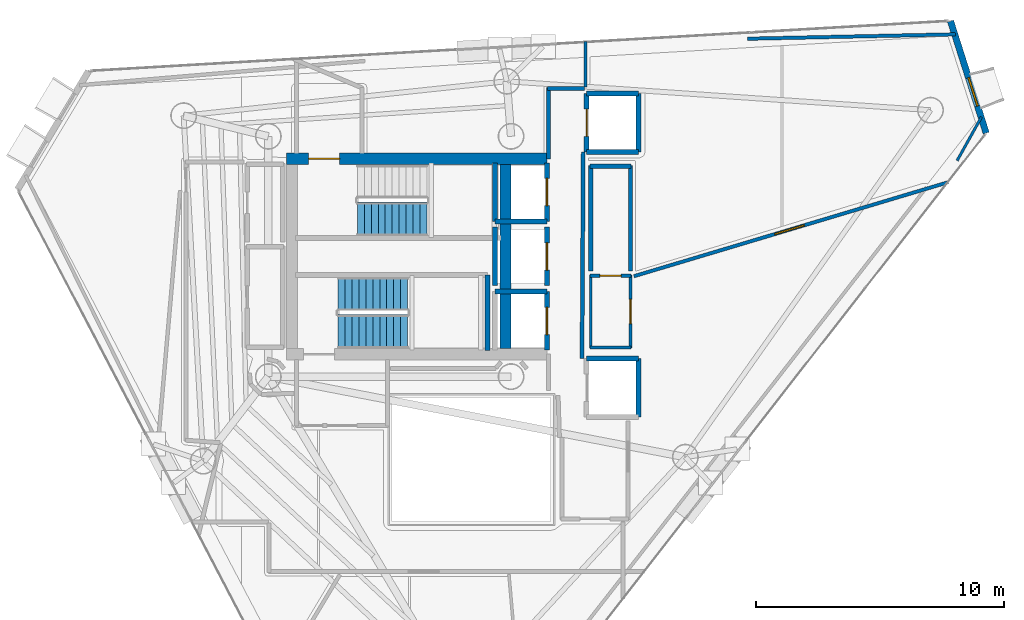
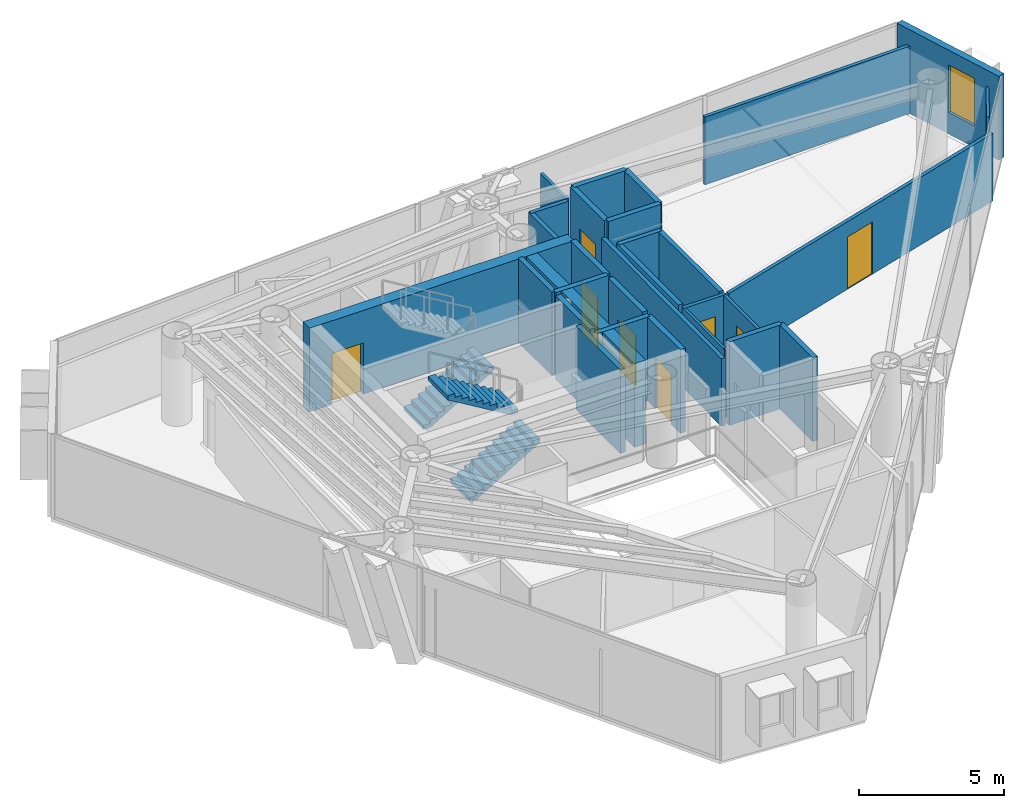
# One storey, part 15 of 18: 31 walls, 8 doors, 3 stair flights, 1 window, 9 openings, 2 elements without a shape of their own.
"""IFC4 building model written with IfcOpenShell, lengths in metres."""

import ifcopenshell
import ifcopenshell.guid

model = None  # the IFC model being written
_history = None  # IfcOwnerHistory: only IFC2X3 demands one
_inside = {}  # id of a spatial element -> (the spatial element, [elements in it])
_under = {}  # id of a project, library or spatial element -> (it, [spatial elements below it])
_declared = {}  # id of a project -> (the project, [libraries it declares])
_typed = {}  # id of a type object -> (the type object, [elements of that type])
_made_of = {}  # id of a material, layer set ... -> (it, [elements and type objects made of it])


def new_model(schema):
    """Start an empty IFC model of exactly this schema.

    Asked for "IFC4X3", IfcOpenShell would pick the latest addendum, in which some entities
    have other attributes; the version numbers below select the first issue.
    IFC2X3 requires an IfcOwnerHistory on every rooted entity: one is made here for all.
    """
    global model, _history
    if schema == "IFC4X3":
        model = ifcopenshell.file(schema_version=(4, 3, 0, 0))
    else:
        model = ifcopenshell.file(schema=schema)
    _inside.clear()
    _under.clear()
    _declared.clear()
    _typed.clear()
    _made_of.clear()
    _history = None
    if model.schema == "IFC2X3":
        org = make("IfcOrganization", Name="unknown")
        user = make(
            "IfcPersonAndOrganization",
            ThePerson=make("IfcPerson", FamilyName="unknown"),
            TheOrganization=org,
        )
        app = make(
            "IfcApplication",
            ApplicationDeveloper=org,
            Version="unknown",
            ApplicationFullName="unknown",
            ApplicationIdentifier="unknown",
        )
        _history = make(
            "IfcOwnerHistory",
            OwningUser=user,
            OwningApplication=app,
            ChangeAction="ADDED",
            CreationDate=0,
        )
    return model


def make(cls, **values):
    """One entity of the class cls with the attributes given. An attribute that is None is left unset."""
    return model.create_entity(
        cls, **{name: value for name, value in values.items() if value is not None}
    )


def rooted(cls, **values):
    """An entity with a GlobalId (a new one), such as an element, a storey or a relation."""
    return make(cls, GlobalId=ifcopenshell.guid.new(), OwnerHistory=_history, **values)


def si_unit(unit_type, name, prefix=None):
    """IfcSIUnit, for example si_unit("LENGTHUNIT", "METRE", prefix="MILLI")."""
    return make("IfcSIUnit", UnitType=unit_type, Prefix=prefix, Name=name)


def assignment(units):
    """IfcUnitAssignment: the units of a project."""
    return None if units is None else make("IfcUnitAssignment", Units=units)


def point(xyz):
    """IfcCartesianPoint."""
    return None if xyz is None else make("IfcCartesianPoint", Coordinates=xyz)


def direction(xyz):
    """IfcDirection."""
    return None if xyz is None else make("IfcDirection", DirectionRatios=xyz)


def frame(location, z_axis=None, x_axis=None):
    """IfcAxis2Placement3D, a coordinate frame: its origin and axes. An axis left out is left unset."""
    return make(
        "IfcAxis2Placement3D",
        Location=point(location),
        Axis=direction(z_axis),
        RefDirection=direction(x_axis),
    )


def frame_2d(location, x_axis=None):
    """IfcAxis2Placement2D, a coordinate frame in the plane: its origin and x axis."""
    return make(
        "IfcAxis2Placement2D", Location=point(location), RefDirection=direction(x_axis)
    )


def origin():
    """The frame at (0, 0, 0) with its axes left unset."""
    return frame((0.0, 0.0, 0.0))


def place(relative_to, where):
    """IfcLocalPlacement: puts the frame where relative to a parent placement (None: the world)."""
    return make(
        "IfcLocalPlacement", PlacementRelTo=relative_to, RelativePlacement=where
    )


def context(
    kind, dimensions, precision=None, world=None, true_north=None, identifier=None
):
    """IfcGeometricRepresentationContext, for example the 3D "Model" context."""
    return make(
        "IfcGeometricRepresentationContext",
        ContextIdentifier=identifier,
        ContextType=kind,
        CoordinateSpaceDimension=dimensions,
        Precision=precision,
        WorldCoordinateSystem=world,
        TrueNorth=true_north,
    )


def subcontext(parent, identifier, kind, view, scale=None):
    """IfcGeometricRepresentationSubContext, for example "Body" below "Model"."""
    return make(
        "IfcGeometricRepresentationSubContext",
        ContextIdentifier=identifier,
        ContextType=kind,
        ParentContext=parent,
        TargetScale=scale,
        TargetView=view,
    )


def project(units=None, contexts=None):
    """IfcProject with its units and contexts."""
    return rooted(
        "IfcProject",
        Name="project",
        RepresentationContexts=contexts,
        UnitsInContext=assignment(units),
    )


def spatial(cls, under=None, at=None, **own):
    """A site, building, storey or space (cls), placed at a placement, below another one or the project."""
    s = rooted(cls, ObjectPlacement=at, **own)
    if under is not None:
        _under.setdefault(under.id(), (under, []))[1].append(s)
    return s


def polyline(points):
    """IfcPolyline through the points."""
    return make("IfcPolyline", Points=[point(p) for p in points])


def profile(cls, at=None, kind="AREA", **sizes):
    """A parametric profile (cls). Its sizes go by their IFC names, for example OverallWidth=200.0."""
    return make(cls, ProfileType=kind, Position=at, **sizes)


def rectangle(**sizes):
    """IfcRectangleProfileDef."""
    return profile("IfcRectangleProfileDef", **sizes)


def outline(outer, holes=None, kind="AREA"):
    """IfcArbitraryClosedProfileDef: a profile drawn as a closed curve; with holes, ...WithVoids."""
    if holes is None:
        return make("IfcArbitraryClosedProfileDef", ProfileType=kind, OuterCurve=outer)
    return make(
        "IfcArbitraryProfileDefWithVoids",
        ProfileType=kind,
        OuterCurve=outer,
        InnerCurves=holes,
    )


def extrude(swept, where, along, depth):
    """IfcExtrudedAreaSolid: the profile swept, set in the frame where, extruded along a direction by depth."""
    return make(
        "IfcExtrudedAreaSolid",
        SweptArea=swept,
        Position=where,
        ExtrudedDirection=direction(along),
        Depth=depth,
    )


def shape(context_of_items, identifier, shape_type, items):
    """IfcShapeRepresentation: the items that make up one representation, for example the "Body"."""
    return make(
        "IfcShapeRepresentation",
        ContextOfItems=context_of_items,
        RepresentationIdentifier=identifier,
        RepresentationType=shape_type,
        Items=items,
    )


def material(Name=None, Category=None):
    """IfcMaterial."""
    return make("IfcMaterial", Name=Name, Category=Category)


def layer(
    of_material, thickness, ventilated=None, Name=None, Category=None, Priority=None
):
    """IfcMaterialLayer: one layer of a wall or slab, of a material (None: an air gap)."""
    return make(
        "IfcMaterialLayer",
        Material=of_material,
        LayerThickness=thickness,
        IsVentilated=ventilated,
        Name=Name,
        Category=Category,
        Priority=Priority,
    )


def layer_set(layers, Name=None):
    """IfcMaterialLayerSet."""
    return make("IfcMaterialLayerSet", MaterialLayers=layers, LayerSetName=Name)


def made_of(thing, what):
    """Note that an element or type object is made of a material, layer set ...; save() writes the relation."""
    if what is not None:
        _made_of.setdefault(what.id(), (what, []))[1].append(thing)
    return thing


def type_object(cls, material=None, **own):
    """A type object (cls), such as IfcWallType, which elements share."""
    return made_of(rooted(cls, **own), material)


def element(
    cls,
    number,
    at=None,
    inside=None,
    cuts=None,
    type_object=None,
    material=None,
    context=None,
    identifier="Body",
    shape_type=None,
    held_by="IfcProductDefinitionShape",
    body=None,
    shapes=None,
    **own,
):
    """One element of the class cls, such as IfcWall. Its Tag is "e" and its number.

    at: its placement. inside: the storey or other place that contains it. cuts: it is an
    opening in that element (IfcRelVoidsElement). A single representation is given by context,
    identifier, shape_type and body (its items); several are given by shapes. held_by: the class
    of the entity that holds the representations. save() writes the other relations.
    """
    e = rooted(cls, Tag="e%d" % number, ObjectPlacement=at, **own)
    if body is not None:
        shapes = [shape(context, identifier, shape_type, body)]
    if shapes is not None:
        e.Representation = make(held_by, Representations=shapes)
    if inside is not None:
        _inside.setdefault(inside.id(), (inside, []))[1].append(e)
    if cuts is not None:
        rooted(
            "IfcRelVoidsElement", RelatingBuildingElement=cuts, RelatedOpeningElement=e
        )
    if type_object is not None:
        _typed.setdefault(type_object.id(), (type_object, []))[1].append(e)
    return made_of(e, material)


def fill(opening, filler):
    """IfcRelFillsElement: the door or window that sits in an opening."""
    return rooted(
        "IfcRelFillsElement",
        RelatingOpeningElement=opening,
        RelatedBuildingElement=filler,
    )


def aggregate(whole, parts):
    """IfcRelAggregates: a whole, such as a stair, and the parts it consists of."""
    return rooted("IfcRelAggregates", RelatingObject=whole, RelatedObjects=parts)


def save(model, path):
    """Write the relations noted so far, then the file.

    IfcRelAggregates (storeys below a building ...), IfcRelContainedInSpatialStructure (elements
    in a storey), IfcRelDefinesByType, IfcRelAssociatesMaterial and IfcRelDeclares: one each for
    every whole, place, type object, material and project.
    """
    for whole, parts in _under.values():
        aggregate(whole, parts)
    for where, things in _inside.values():
        rooted(
            "IfcRelContainedInSpatialStructure",
            RelatedElements=things,
            RelatingStructure=where,
        )
    for kind, things in _typed.values():
        rooted("IfcRelDefinesByType", RelatedObjects=things, RelatingType=kind)
    for what, things in _made_of.values():
        rooted("IfcRelAssociatesMaterial", RelatedObjects=things, RelatingMaterial=what)
    for by, libraries in _declared.values():
        rooted("IfcRelDeclares", RelatingContext=by, RelatedDefinitions=libraries)
    model.write(path)


model = new_model("IFC4")

# Units and contexts
model_context = context("Model", 3, precision=1e-05, world=origin(), true_north=direction((0.0, 1.0)))
body_context = subcontext(model_context, "Body", "Model", "MODEL_VIEW")
ifc_project = project(units=[si_unit("LENGTHUNIT", "METRE"), si_unit("AREAUNIT", "SQUARE_METRE"), si_unit("VOLUMEUNIT", "CUBIC_METRE"), si_unit("PLANEANGLEUNIT", "RADIAN"), si_unit("MASSUNIT", "GRAM", prefix="KILO")], contexts=[model_context])

# Site, building, storey
site_placement = place(None, origin())
site = spatial("IfcSite", under=ifc_project, at=site_placement, CompositionType="ELEMENT")
building_placement = place(site_placement, origin())
building = spatial("IfcBuilding", under=site, at=building_placement, Name="Qianvela Tower", CompositionType="ELEMENT")
storey_placement = place(building_placement, frame((0.0, 0.0, 264.89990234375)))
storey = spatial("IfcBuildingStorey", under=building, at=storey_placement, Name="L68", CompositionType="ELEMENT", Elevation=264.89990234375)

# Wall, opening, window
ifc_material_1 = material(Name="Terracotta Cladding on Concrete C40", Category="masonry")
ifc_layer_1 = layer(ifc_material_1, 0.260009765625)
ifc_layer_set_1 = layer_set([ifc_layer_1], Name="Terracotta Cladding on Concrete C40")
wall_type_1 = type_object("IfcWallType", Name="TERRACOTTA-WALL-260", PredefinedType="SOLIDWALL", material=ifc_layer_set_1)
wall_1_placement = place(storey_placement, frame((57.58056640625, 33.681884765625, 0.0), z_axis=(0.0, 0.0, 1.0), x_axis=(-0.303320364909, 0.952888637896, 0.0)))
wall_1 = element("IfcWall", 1, at=wall_1_placement, inside=storey, type_object=wall_type_1, Name="L68 Terracotta Chamfer Facet Wall 1", PredefinedType="SOLIDWALL", context=body_context, shape_type="SweptSolid", body=[
    extrude(rectangle(XDim=4.748779296875, YDim=0.260009765625, at=frame_2d((2.37451171875, 0.0))), origin(), (0.0, 0.0, 1.0), 3.52001953125),
])
opening_1_placement = place(wall_1_placement, frame((1.144775390625, 0.0, 0.89990234375)))
opening_1 = element("IfcOpeningElement", 2, at=opening_1_placement, cuts=wall_1, Name="Opening W-03", PredefinedType="OPENING", context=body_context, shape_type="SweptSolid", body=[
    extrude(rectangle(XDim=1.199951171875, YDim=2.0, at=frame_2d((0.60009765625, 1.0))), frame((0.0, 0.139892578125, 0.0), z_axis=(0.0, -1.0, 0.0), x_axis=(1.0, 0.0, 0.0)), (0.0, 0.0, 1.0), 0.280029296875),
])
ifc_material_2 = material(Name="Thermally Broken Aluminium and Low-E Glass", Category="aluminium")
window_type = type_object("IfcWindowType", Name="WIN-TC-1200x2000", PartitioningType="SINGLE_PANEL", PredefinedType="WINDOW", material=ifc_material_2)
window_placement = place(opening_1_placement, origin())
window = element("IfcWindow", 3, at=window_placement, inside=storey, type_object=window_type, Name="L68 Chamfer Facet Window 1.1", OverallHeight=2.0, OverallWidth=1.199951171875, PartitioningType="SINGLE_PANEL", PredefinedType="WINDOW", context=body_context, shape_type="SweptSolid", body=[
    extrude(rectangle(XDim=1.199951171875, YDim=2.0, at=frame_2d((0.60009765625, 1.0))), frame((0.0, 0.030029296875, 0.0), z_axis=(0.0, -1.0, 0.0), x_axis=(1.0, 0.0, 0.0)), (0.0, 0.0, 1.0), 0.06005859375),
])
fill(opening_1, window)

# Wall, opening, door
ifc_material_3 = material(Name="Concrete C50", Category="concrete")
ifc_layer_2 = layer(ifc_material_3, 0.449951171875)
ifc_layer_set_2 = layer_set([ifc_layer_2], Name="Concrete C50")
wall_type_2 = type_object("IfcWallType", Name="WT-CORE-450", PredefinedType="SHEAR", material=ifc_layer_set_2)
wall_2_placement = place(storey_placement, frame((29.330078125, 32.64501953125, 0.0), z_axis=(0.0, 0.0, 1.0), x_axis=(1.0, 0.0, 0.0)))
wall_2 = element("IfcWall", 4, at=wall_2_placement, inside=storey, type_object=wall_type_2, Name="L68 North Core Shear Wall", PredefinedType="SHEAR", context=body_context, shape_type="SweptSolid", body=[
    extrude(rectangle(XDim=10.52001953125, YDim=0.449951171875, at=frame_2d((5.260009765625, 0.0))), origin(), (0.0, 0.0, 1.0), 3.52001953125),
])
opening_2_placement = place(wall_2_placement, frame((0.89501953125, 0.0, 0.0)))
opening_2 = element("IfcOpeningElement", 5, at=opening_2_placement, cuts=wall_2, Name="Opening D-ST1", PredefinedType="OPENING", context=body_context, shape_type="SweptSolid", body=[
    extrude(rectangle(XDim=1.25, YDim=2.14990234375, at=frame_2d((0.625, 1.074951171875))), frame((0.0, 0.23486328125, 0.0), z_axis=(0.0, -1.0, 0.0), x_axis=(1.0, 0.0, 0.0)), (0.0, 0.0, 1.0), 0.469970703125),
])
ifc_material_4 = material(Name="Galvanised Fire Steel Q355B", Category="steel")
door_type_1 = type_object("IfcDoorType", Name="DT-STAIR-FD90", OperationType="NOTDEFINED", PredefinedType="DOOR", material=ifc_material_4)
door_1_placement = place(opening_2_placement, origin())
door_1 = element("IfcDoor", 6, at=door_1_placement, inside=storey, type_object=door_type_1, Name="L68 Stair ST-1 Exit Door", OperationType="SINGLE_SWING_RIGHT", OverallHeight=2.14990234375, OverallWidth=1.25, PredefinedType="DOOR", context=body_context, shape_type="SweptSolid", body=[
    extrude(rectangle(XDim=1.25, YDim=2.14990234375, at=frame_2d((0.625, 1.074951171875))), frame((0.0, 0.02490234375, 0.0), z_axis=(0.0, -1.0, 0.0), x_axis=(1.0, 0.0, 0.0)), (0.0, 0.0, 1.0), 0.050048828125),
])
fill(opening_2, door_1)

# Walls
wall_3_placement = place(storey_placement, frame((38.179931640625, 24.97998046875, 0.0), z_axis=(0.0, 0.0, 1.0), x_axis=(0.0, 1.0, 0.0)))
element("IfcWall", 7, at=wall_3_placement, inside=storey, type_object=wall_type_2, Name="L68 East Spine Core Shear Wall", PredefinedType="SHEAR", context=body_context, shape_type="SweptSolid", body=[
    extrude(rectangle(XDim=7.43994140625, YDim=0.449951171875, at=frame_2d((3.719970703125, 0.0))), origin(), (0.0, 0.0, 1.0), 3.52001953125),
])
ifc_material_5 = material(Name="Fire-Rated Gypsum and Concrete Block", Category="concrete")
ifc_layer_3 = layer(ifc_material_5, 0.159912109375)
ifc_layer_set_3 = layer_set([ifc_layer_3], Name="Fire-Rated Gypsum and Concrete Block")
wall_type_3 = type_object("IfcWallType", Name="WT-CORR-160", PredefinedType="PARTITIONING", material=ifc_layer_set_3)
wall_4_placement = place(storey_placement, frame((39.910888671875, 32.639892578125, 0.0), z_axis=(0.0, 0.0, 1.0), x_axis=(0.0, 1.0, 0.0)))
element("IfcWall", 8, at=wall_4_placement, inside=storey, type_object=wall_type_3, Name="L68 Partition 12", PredefinedType="PARTITIONING", context=body_context, shape_type="SweptSolid", body=[
    extrude(rectangle(XDim=2.880126953125, YDim=0.159912109375, at=frame_2d((1.43994140625, 0.0))), origin(), (0.0, 0.0, 1.0), 2.840087890625),
])
wall_5_placement = place(storey_placement, frame((39.8798828125, 35.489013671875, 0.0), z_axis=(0.0, 0.0, 1.0), x_axis=(1.0, 0.0, 0.0)))
element("IfcWall", 9, at=wall_5_placement, inside=storey, type_object=wall_type_3, Name="L68 Partition 13", PredefinedType="PARTITIONING", context=body_context, shape_type="SweptSolid", body=[
    extrude(rectangle(XDim=1.480224609375, YDim=0.159912109375, at=frame_2d((0.740234375, 0.0))), origin(), (0.0, 0.0, 1.0), 2.840087890625),
])
wall_6_placement = place(storey_placement, frame((41.3134765625, 32.919921875, 0.0), z_axis=(0.0, 0.0, 1.0), x_axis=(-0.005942518022, -0.999982343084, 0.0)))
element("IfcWall", 10, at=wall_6_placement, inside=storey, type_object=wall_type_3, Name="L68 Partition 14 seg 2", PredefinedType="PARTITIONING", context=body_context, shape_type="SweptSolid", body=[
    extrude(rectangle(XDim=8.340087890625, YDim=0.159912109375, at=frame_2d((4.169921875, 0.0))), origin(), (0.0, 0.0, 1.0), 2.840087890625),
])
ifc_material_6 = material(Name="Lightweight Gypsum Room Partition")
ifc_layer_4 = layer(ifc_material_6, 0.10498046875)
ifc_layer_set_4 = layer_set([ifc_layer_4], Name="Lightweight Gypsum Room Partition")
wall_type_4 = type_object("IfcWallType", Name="WT-PART-105", PredefinedType="PARTITIONING", material=ifc_layer_set_4)
wall_7_placement = place(storey_placement, frame((41.611083984375, 25.0, 0.0), z_axis=(0.0, 0.0, 1.0), x_axis=(0.0, 1.0, 0.0)))
element("IfcWall", 11, at=wall_7_placement, inside=storey, type_object=wall_type_4, Name="L68 Partition 20", PredefinedType="PARTITIONING", context=body_context, shape_type="SweptSolid", body=[
    extrude(rectangle(XDim=2.949951171875, YDim=0.10498046875, at=frame_2d((1.47509765625, 0.0))), origin(), (0.0, 0.0, 1.0), 2.840087890625),
])
wall_8_placement = place(storey_placement, frame((57.390380859375, 34.333740234375, 0.0), z_axis=(0.0, 0.0, 1.0), x_axis=(-0.486667928669, -0.873587046152, 0.0)))
element("IfcWall", 12, at=wall_8_placement, inside=storey, type_object=wall_type_4, Name="L68 Partition 113 seg 1", PredefinedType="PARTITIONING", context=body_context, shape_type="SweptSolid", body=[
    extrude(rectangle(XDim=2.021728515625, YDim=0.10498046875, at=frame_2d((1.0107421875, 0.0))), origin(), (0.0, 0.0, 1.0), 2.840087890625),
])
ifc_material_7 = material(Name="Insulated Gypsum Stud Partition")
ifc_layer_5 = layer(ifc_material_7, 0.1201171875)
ifc_layer_set_5 = layer_set([ifc_layer_5], Name="Insulated Gypsum Stud Partition")
wall_type_5 = type_object("IfcWallType", Name="WT-PART-120", PredefinedType="PARTITIONING", material=ifc_layer_set_5)
wall_9_placement = place(storey_placement, frame((43.25, 25.031005859375, 0.0), z_axis=(0.0, 0.0, 1.0), x_axis=(-1.0, 0.0, 0.0)))
element("IfcWall", 13, at=wall_9_placement, inside=storey, type_object=wall_type_5, Name="L68 Partition 19", PredefinedType="PARTITIONING", context=body_context, shape_type="SweptSolid", body=[
    extrude(rectangle(XDim=1.669921875, YDim=0.1201171875, at=frame_2d((0.8349609375, 0.0))), origin(), (0.0, 0.0, 1.0), 2.840087890625),
])

# Wall, opening, door
wall_10_placement = place(storey_placement, frame((43.218994140625, 27.949951171875, 0.0), z_axis=(0.0, 0.0, 1.0), x_axis=(0.0, -1.0, 0.0)))
wall_10 = element("IfcWall", 14, at=wall_10_placement, inside=storey, type_object=wall_type_5, Name="L68 Partition 22", PredefinedType="PARTITIONING", context=body_context, shape_type="SweptSolid", body=[
    extrude(rectangle(XDim=2.949951171875, YDim=0.1201171875, at=frame_2d((1.47509765625, 0.0))), origin(), (0.0, 0.0, 1.0), 2.840087890625),
])
opening_3_placement = place(wall_10_placement, frame((0.985107421875, 0.0, 0.0)))
opening_3 = element("IfcOpeningElement", 15, at=opening_3_placement, cuts=wall_10, Name="Opening D-RM1", PredefinedType="OPENING", context=body_context, shape_type="SweptSolid", body=[
    extrude(rectangle(XDim=0.97998046875, YDim=2.10009765625, at=frame_2d((0.489990234375, 1.050048828125))), frame((0.0, 0.070068359375, 0.0), z_axis=(0.0, -1.0, 0.0), x_axis=(1.0, 0.0, 0.0)), (0.0, 0.0, 1.0), 0.14013671875),
])
ifc_material_8 = material(Name="Solid Core Acoustic Timber Fire Door", Category="wood")
door_type_2 = type_object("IfcDoorType", Name="DT-ROOM-FD60", OperationType="NOTDEFINED", PredefinedType="DOOR", material=ifc_material_8)
door_2_placement = place(opening_3_placement, origin())
door_2 = element("IfcDoor", 16, at=door_2_placement, inside=storey, type_object=door_type_2, Name="L68 Door L68 Cleaner Store to Graduate Seminar Classroom L68-02", OperationType="SINGLE_SWING_RIGHT", OverallHeight=2.10009765625, OverallWidth=0.97998046875, PredefinedType="DOOR", context=body_context, shape_type="SweptSolid", body=[
    extrude(rectangle(XDim=0.97998046875, YDim=2.10009765625, at=frame_2d((0.489990234375, 1.050048828125))), frame((0.0, 0.02490234375, 0.0), z_axis=(0.0, -1.0, 0.0), x_axis=(1.0, 0.0, 0.0)), (0.0, 0.0, 1.0), 0.050048828125),
])
fill(opening_3, door_2)

# Walls
wall_11_placement = place(storey_placement, frame((41.412109375, 37.370849609375, 0.0), z_axis=(0.0, 0.0, 1.0), x_axis=(-0.005232720523, -0.999986309224, 0.0)))
element("IfcWall", 17, at=wall_11_placement, inside=storey, type_object=wall_type_5, Name="L68 Partition 103", PredefinedType="PARTITIONING", context=body_context, shape_type="SweptSolid", body=[
    extrude(rectangle(XDim=1.819580078125, YDim=0.1201171875, at=frame_2d((0.90966796875, 0.0))), origin(), (0.0, 0.0, 1.0), 2.840087890625),
])
ifc_material_9 = material(Name="Moisture-Resistant Acoustic Plumbing Wall")
ifc_layer_6 = layer(ifc_material_9, 0.175048828125)
ifc_layer_set_6 = layer_set([ifc_layer_6], Name="Moisture-Resistant Acoustic Plumbing Wall")
wall_type_6 = type_object("IfcWallType", Name="WT-PLUMB-175", PredefinedType="PLUMBINGWALL", material=ifc_layer_set_6)
wall_12_placement = place(storey_placement, frame((41.611083984375, 28.110107421875, 0.0), z_axis=(0.0, 0.0, 1.0), x_axis=(0.0, 1.0, 0.0)))
element("IfcWall", 18, at=wall_12_placement, inside=storey, type_object=wall_type_6, Name="L68 Partition 24", PredefinedType="PLUMBINGWALL", context=body_context, shape_type="SweptSolid", body=[
    extrude(rectangle(XDim=4.269775390625, YDim=0.175048828125, at=frame_2d((2.134765625, 0.0))), origin(), (0.0, 0.0, 1.0), 2.840087890625),
])
wall_13_placement = place(storey_placement, frame((41.580078125, 32.34912109375, 0.0), z_axis=(0.0, 0.0, 1.0), x_axis=(1.0, 0.0, 0.0)))
element("IfcWall", 19, at=wall_13_placement, inside=storey, type_object=wall_type_6, Name="L68 Partition 25", PredefinedType="PLUMBINGWALL", context=body_context, shape_type="SweptSolid", body=[
    extrude(rectangle(XDim=1.669921875, YDim=0.175048828125, at=frame_2d((0.8349609375, 0.0))), origin(), (0.0, 0.0, 1.0), 2.840087890625),
])
wall_14_placement = place(storey_placement, frame((43.218994140625, 32.3798828125, 0.0), z_axis=(0.0, 0.0, 1.0), x_axis=(0.0, -1.0, 0.0)))
element("IfcWall", 20, at=wall_14_placement, inside=storey, type_object=wall_type_6, Name="L68 Partition 26", PredefinedType="PLUMBINGWALL", context=body_context, shape_type="SweptSolid", body=[
    extrude(rectangle(XDim=4.269775390625, YDim=0.175048828125, at=frame_2d((2.134765625, 0.0))), origin(), (0.0, 0.0, 1.0), 2.840087890625),
])

# Wall, opening, door
ifc_material_10 = material(Name="Acoustic Double Gypsum Stud Partition")
ifc_layer_7 = layer(ifc_material_10, 0.139892578125)
ifc_layer_set_7 = layer_set([ifc_layer_7], Name="Acoustic Double Gypsum Stud Partition")
wall_type_7 = type_object("IfcWallType", Name="WT-ROOM-140", PredefinedType="PARTITIONING", material=ifc_layer_set_7)
wall_15_placement = place(storey_placement, frame((41.580078125, 27.9189453125, 0.0), z_axis=(0.0, 0.0, 1.0), x_axis=(1.0, 0.0, 0.0)))
wall_15 = element("IfcWall", 21, at=wall_15_placement, inside=storey, type_object=wall_type_7, Name="L68 Partition 21", PredefinedType="PARTITIONING", context=body_context, shape_type="SweptSolid", body=[
    extrude(rectangle(XDim=1.669921875, YDim=0.139892578125, at=frame_2d((0.8349609375, 0.0))), origin(), (0.0, 0.0, 1.0), 2.840087890625),
])
opening_4_placement = place(wall_15_placement, frame((0.405029296875, 0.0, 0.0)))
opening_4 = element("IfcOpeningElement", 22, at=opening_4_placement, cuts=wall_15, Name="Opening D-WC1", PredefinedType="OPENING", context=body_context, shape_type="SweptSolid", body=[
    extrude(rectangle(XDim=0.860107421875, YDim=2.050048828125, at=frame_2d((0.43017578125, 1.02490234375))), frame((0.0, 0.079833984375, 0.0), z_axis=(0.0, -1.0, 0.0), x_axis=(1.0, 0.0, 0.0)), (0.0, 0.0, 1.0), 0.159912109375),
])
ifc_material_11 = material(Name="Moisture-Sealed Acoustic Timber Door", Category="wood")
door_type_3 = type_object("IfcDoorType", Name="DT-WC-860", OperationType="NOTDEFINED", PredefinedType="DOOR", material=ifc_material_11)
door_3_placement = place(opening_4_placement, origin())
door_3 = element("IfcDoor", 23, at=door_3_placement, inside=storey, type_object=door_type_3, Name="L68 Door L68 Accessible WC to L68 Cleaner Store", OperationType="SINGLE_SWING_RIGHT", OverallHeight=2.050048828125, OverallWidth=0.860107421875, PredefinedType="DOOR", context=body_context, shape_type="SweptSolid", body=[
    extrude(rectangle(XDim=0.860107421875, YDim=2.050048828125, at=frame_2d((0.43017578125, 1.02490234375))), frame((0.0, 0.02490234375, 0.0), z_axis=(0.0, -1.0, 0.0), x_axis=(1.0, 0.0, 0.0)), (0.0, 0.0, 1.0), 0.050048828125),
])
fill(opening_4, door_3)

wall_16_placement = place(storey_placement, frame((43.35888671875, 27.903076171875, 0.0), z_axis=(0.0, 0.0, 1.0), x_axis=(0.958100890782, 0.286430939464, 0.0)))
wall_16 = element("IfcWall", 24, at=wall_16_placement, inside=storey, type_object=wall_type_7, Name="L68 Partition 81", PredefinedType="PARTITIONING", context=body_context, shape_type="SweptSolid", body=[
    extrude(rectangle(XDim=13.2412109375, YDim=0.139892578125, at=frame_2d((6.62060546875, 0.0))), origin(), (0.0, 0.0, 1.0), 2.840087890625),
])
opening_5_placement = place(wall_16_placement, frame((5.93310546875, 0.0, 0.0)))
opening_5 = element("IfcOpeningElement", 25, at=opening_5_placement, cuts=wall_16, Name="Opening D-LG1", PredefinedType="OPENING", context=body_context, shape_type="SweptSolid", body=[
    extrude(rectangle(XDim=1.25, YDim=2.199951171875, at=frame_2d((0.625, 1.10009765625))), frame((0.0, 0.079833984375, 0.0), z_axis=(0.0, -1.0, 0.0), x_axis=(1.0, 0.0, 0.0)), (0.0, 0.0, 1.0), 0.159912109375),
])
ifc_material_12 = material(Name="Anodised Aluminium Acoustic Glass Door", Category="aluminium")
door_type_4 = type_object("IfcDoorType", Name="DT-LOUNGE-1250", OperationType="NOTDEFINED", PredefinedType="DOOR", material=ifc_material_12)
door_4_placement = place(opening_5_placement, origin())
door_4 = element("IfcDoor", 26, at=door_4_placement, inside=storey, type_object=door_type_4, Name="L68 Door Campus Convenience Shop L68-04 to Graduate Seminar Classroom L68-02", OperationType="SINGLE_SWING_LEFT", OverallHeight=2.199951171875, OverallWidth=1.25, PredefinedType="DOOR", context=body_context, shape_type="SweptSolid", body=[
    extrude(rectangle(XDim=1.25, YDim=2.199951171875, at=frame_2d((0.625, 1.10009765625))), frame((0.0, 0.02490234375, 0.0), z_axis=(0.0, -1.0, 0.0), x_axis=(1.0, 0.0, 0.0)), (0.0, 0.0, 1.0), 0.050048828125),
])
fill(opening_5, door_4)

# Walls
wall_17_placement = place(storey_placement, frame((47.944580078125, 37.490234375, 0.0), z_axis=(0.0, 0.0, 1.0), x_axis=(0.999779265552, 0.021010001738, 0.0)))
element("IfcWall", 27, at=wall_17_placement, inside=storey, type_object=wall_type_7, Name="L68 Partition 111 seg 1", PredefinedType="PARTITIONING", context=body_context, shape_type="SweptSolid", body=[
    extrude(rectangle(XDim=8.389892578125, YDim=0.139892578125, at=frame_2d((4.19482421875, 0.0))), origin(), (0.0, 0.0, 1.0), 2.840087890625),
])
ifc_material_13 = material(Name="Concrete C50", Category="concrete")
ifc_layer_8 = layer(ifc_material_13, 0.199951171875)
ifc_layer_set_8 = layer_set([ifc_layer_8], Name="Concrete C50")
wall_type_8 = type_object("IfcWallType", Name="WT-SHAFT-200", PredefinedType="SOLIDWALL", material=ifc_layer_set_8)
wall_18_placement = place(storey_placement, frame((37.449951171875, 24.89990234375, 0.0), z_axis=(0.0, 0.0, 1.0), x_axis=(0.0, 1.0, 0.0)))
element("IfcWall", 28, at=wall_18_placement, inside=storey, type_object=wall_type_8, Name="L68 Stair ST-2 East Wall", PredefinedType="SOLIDWALL", context=body_context, shape_type="SweptSolid", body=[
    extrude(rectangle(XDim=3.06005859375, YDim=0.199951171875, at=frame_2d((1.530029296875, 0.0))), origin(), (0.0, 0.0, 1.0), 3.52001953125),
])

# Wall, opening, door
wall_19_placement = place(storey_placement, frame((39.85009765625, 30.1201171875, 0.0), z_axis=(0.0, 0.0, 1.0), x_axis=(0.0, 1.0, 0.0)))
wall_19 = element("IfcWall", 29, at=wall_19_placement, inside=storey, type_object=wall_type_8, Name="L68 Lift FL-1 E Shaft Wall", PredefinedType="SOLIDWALL", context=body_context, shape_type="SweptSolid", body=[
    extrude(rectangle(XDim=2.35986328125, YDim=0.199951171875, at=frame_2d((1.179931640625, 0.0))), origin(), (0.0, 0.0, 1.0), 3.52001953125),
])
opening_6_placement = place(wall_19_placement, frame((0.6298828125, 0.0, 0.0)))
opening_6 = element("IfcOpeningElement", 30, at=opening_6_placement, cuts=wall_19, Name="Opening LD-01", PredefinedType="OPENING", context=body_context, shape_type="SweptSolid", body=[
    extrude(rectangle(XDim=1.10009765625, YDim=2.14990234375, at=frame_2d((0.550048828125, 1.074951171875))), frame((0.0, 0.10986328125, 0.0), z_axis=(0.0, -1.0, 0.0), x_axis=(1.0, 0.0, 0.0)), (0.0, 0.0, 1.0), 0.219970703125),
])
ifc_material_14 = material(Name="Brushed Stainless Steel Lift Landing Door", Category="steel")
door_type_5 = type_object("IfcDoorType", Name="DT-LIFT-SLIDE-1100", OperationType="SLIDING_TO_LEFT", PredefinedType="DOOR", material=ifc_material_14)
door_5_placement = place(opening_6_placement, origin())
door_5 = element("IfcDoor", 31, at=door_5_placement, inside=storey, type_object=door_type_5, Name="L68 Lift FL-1 Sliding Landing Door", OperationType="SLIDING_TO_LEFT", OverallHeight=2.14990234375, OverallWidth=1.10009765625, PredefinedType="DOOR", context=body_context, shape_type="SweptSolid", body=[
    extrude(rectangle(XDim=1.10009765625, YDim=2.14990234375, at=frame_2d((0.550048828125, 1.074951171875))), frame((0.0, 0.02490234375, 0.0), z_axis=(0.0, -1.0, 0.0), x_axis=(1.0, 0.0, 0.0)), (0.0, 0.0, 1.0), 0.050048828125),
])
fill(opening_6, door_5)

# Walls
wall_20_placement = place(storey_placement, frame((37.75, 30.1201171875, 0.0), z_axis=(0.0, 0.0, 1.0), x_axis=(0.0, 1.0, 0.0)))
element("IfcWall", 32, at=wall_20_placement, inside=storey, type_object=wall_type_8, Name="L68 Lift FL-1 W Shaft Wall", PredefinedType="SOLIDWALL", context=body_context, shape_type="SweptSolid", body=[
    extrude(rectangle(XDim=2.35986328125, YDim=0.199951171875, at=frame_2d((1.179931640625, 0.0))), origin(), (0.0, 0.0, 1.0), 3.52001953125),
])
wall_21_placement = place(storey_placement, frame((37.75, 30.1201171875, 0.0), z_axis=(0.0, 0.0, 1.0), x_axis=(1.0, 0.0, 0.0)))
element("IfcWall", 33, at=wall_21_placement, inside=storey, type_object=wall_type_8, Name="L68 Lift FL-1 S Shaft Wall", PredefinedType="SOLIDWALL", context=body_context, shape_type="SweptSolid", body=[
    extrude(rectangle(XDim=2.10009765625, YDim=0.199951171875, at=frame_2d((1.050048828125, 0.0))), origin(), (0.0, 0.0, 1.0), 3.52001953125),
])

# Wall, opening, door
wall_22_placement = place(storey_placement, frame((39.85009765625, 24.919921875, 0.0), z_axis=(0.0, 0.0, 1.0), x_axis=(0.0, 1.0, 0.0)))
wall_22 = element("IfcWall", 34, at=wall_22_placement, inside=storey, type_object=wall_type_8, Name="L68 Lift FL-2 E Shaft Wall", PredefinedType="SOLIDWALL", context=body_context, shape_type="SweptSolid", body=[
    extrude(rectangle(XDim=2.360107421875, YDim=0.199951171875, at=frame_2d((1.18017578125, 0.0))), origin(), (0.0, 0.0, 1.0), 3.52001953125),
])
opening_7_placement = place(wall_22_placement, frame((0.6298828125, 0.0, 0.0)))
opening_7 = element("IfcOpeningElement", 35, at=opening_7_placement, cuts=wall_22, Name="Opening LD-01", PredefinedType="OPENING", context=body_context, shape_type="SweptSolid", body=[
    extrude(rectangle(XDim=1.10009765625, YDim=2.14990234375, at=frame_2d((0.550048828125, 1.074951171875))), frame((0.0, 0.10986328125, 0.0), z_axis=(0.0, -1.0, 0.0), x_axis=(1.0, 0.0, 0.0)), (0.0, 0.0, 1.0), 0.219970703125),
])
door_6_placement = place(opening_7_placement, origin())
door_6 = element("IfcDoor", 36, at=door_6_placement, inside=storey, type_object=door_type_5, Name="L68 Lift FL-2 Sliding Landing Door", OperationType="SLIDING_TO_LEFT", OverallHeight=2.14990234375, OverallWidth=1.10009765625, PredefinedType="DOOR", context=body_context, shape_type="SweptSolid", body=[
    extrude(rectangle(XDim=1.10009765625, YDim=2.14990234375, at=frame_2d((0.550048828125, 1.074951171875))), frame((0.0, 0.02490234375, 0.0), z_axis=(0.0, -1.0, 0.0), x_axis=(1.0, 0.0, 0.0)), (0.0, 0.0, 1.0), 0.050048828125),
])
fill(opening_7, door_6)

# Wall
wall_23_placement = place(storey_placement, frame((37.75, 27.280029296875, 0.0), z_axis=(0.0, 0.0, 1.0), x_axis=(1.0, 0.0, 0.0)))
element("IfcWall", 37, at=wall_23_placement, inside=storey, type_object=wall_type_8, Name="L68 Lift FL-2 N Shaft Wall", PredefinedType="SOLIDWALL", context=body_context, shape_type="SweptSolid", body=[
    extrude(rectangle(XDim=2.10009765625, YDim=0.199951171875, at=frame_2d((1.050048828125, 0.0))), origin(), (0.0, 0.0, 1.0), 3.52001953125),
])

# Wall, opening, door
wall_24_placement = place(storey_placement, frame((39.85009765625, 27.52001953125, 0.0), z_axis=(0.0, 0.0, 1.0), x_axis=(0.0, 1.0, 0.0)))
wall_24 = element("IfcWall", 38, at=wall_24_placement, inside=storey, type_object=wall_type_8, Name="L68 Lift PL-H1 E Shaft Wall", PredefinedType="SOLIDWALL", context=body_context, shape_type="SweptSolid", body=[
    extrude(rectangle(XDim=2.35986328125, YDim=0.199951171875, at=frame_2d((1.179931640625, 0.0))), origin(), (0.0, 0.0, 1.0), 3.52001953125),
])
opening_8_placement = place(wall_24_placement, frame((0.6298828125, 0.0, 0.0)))
opening_8 = element("IfcOpeningElement", 39, at=opening_8_placement, cuts=wall_24, Name="Opening LD-01", PredefinedType="OPENING", context=body_context, shape_type="SweptSolid", body=[
    extrude(rectangle(XDim=1.10009765625, YDim=2.14990234375, at=frame_2d((0.550048828125, 1.074951171875))), frame((0.0, 0.10986328125, 0.0), z_axis=(0.0, -1.0, 0.0), x_axis=(1.0, 0.0, 0.0)), (0.0, 0.0, 1.0), 0.219970703125),
])
door_7_placement = place(opening_8_placement, origin())
door_7 = element("IfcDoor", 40, at=door_7_placement, inside=storey, type_object=door_type_5, Name="L68 Lift PL-H1 Sliding Landing Door", OperationType="SLIDING_TO_LEFT", OverallHeight=2.14990234375, OverallWidth=1.10009765625, PredefinedType="DOOR", context=body_context, shape_type="SweptSolid", body=[
    extrude(rectangle(XDim=1.10009765625, YDim=2.14990234375, at=frame_2d((0.550048828125, 1.074951171875))), frame((0.0, 0.02490234375, 0.0), z_axis=(0.0, -1.0, 0.0), x_axis=(1.0, 0.0, 0.0)), (0.0, 0.0, 1.0), 0.050048828125),
])
fill(opening_8, door_7)

# Walls
wall_25_placement = place(storey_placement, frame((37.75, 27.52001953125, 0.0), z_axis=(0.0, 0.0, 1.0), x_axis=(0.0, 1.0, 0.0)))
element("IfcWall", 41, at=wall_25_placement, inside=storey, type_object=wall_type_8, Name="L68 Lift PL-H1 W Shaft Wall", PredefinedType="SOLIDWALL", context=body_context, shape_type="SweptSolid", body=[
    extrude(rectangle(XDim=2.35986328125, YDim=0.199951171875, at=frame_2d((1.179931640625, 0.0))), origin(), (0.0, 0.0, 1.0), 3.52001953125),
])
wall_26_placement = place(storey_placement, frame((43.550048828125, 22.219970703125, 0.0), z_axis=(0.0, 0.0, 1.0), x_axis=(0.0, 1.0, 0.0)))
element("IfcWall", 42, at=wall_26_placement, inside=storey, type_object=wall_type_8, Name="L68 Lift PL-H2 E Shaft Wall", PredefinedType="SOLIDWALL", context=body_context, shape_type="SweptSolid", body=[
    extrude(rectangle(XDim=2.360107421875, YDim=0.199951171875, at=frame_2d((1.18017578125, 0.0))), origin(), (0.0, 0.0, 1.0), 3.52001953125),
])
wall_27_placement = place(storey_placement, frame((41.449951171875, 24.580078125, 0.0), z_axis=(0.0, 0.0, 1.0), x_axis=(1.0, 0.0, 0.0)))
element("IfcWall", 43, at=wall_27_placement, inside=storey, type_object=wall_type_8, Name="L68 Lift PL-H2 N Shaft Wall", PredefinedType="SOLIDWALL", context=body_context, shape_type="SweptSolid", body=[
    extrude(rectangle(XDim=2.10009765625, YDim=0.199951171875, at=frame_2d((1.050048828125, 0.0))), origin(), (0.0, 0.0, 1.0), 3.52001953125),
])
wall_28_placement = place(storey_placement, frame((43.550048828125, 32.919921875, 0.0), z_axis=(0.0, 0.0, 1.0), x_axis=(0.0, 1.0, 0.0)))
element("IfcWall", 44, at=wall_28_placement, inside=storey, type_object=wall_type_8, Name="L68 Lift PL-H3 E Shaft Wall", PredefinedType="SOLIDWALL", context=body_context, shape_type="SweptSolid", body=[
    extrude(rectangle(XDim=2.360107421875, YDim=0.199951171875, at=frame_2d((1.18017578125, 0.0))), origin(), (0.0, 0.0, 1.0), 3.52001953125),
])

# Wall, opening, door
wall_29_placement = place(storey_placement, frame((41.449951171875, 32.919921875, 0.0), z_axis=(0.0, 0.0, 1.0), x_axis=(0.0, 1.0, 0.0)))
wall_29 = element("IfcWall", 45, at=wall_29_placement, inside=storey, type_object=wall_type_8, Name="L68 Lift PL-H3 W Shaft Wall", PredefinedType="SOLIDWALL", context=body_context, shape_type="SweptSolid", body=[
    extrude(rectangle(XDim=2.360107421875, YDim=0.199951171875, at=frame_2d((1.18017578125, 0.0))), origin(), (0.0, 0.0, 1.0), 3.52001953125),
])
opening_9_placement = place(wall_29_placement, frame((0.6298828125, 0.0, 0.0)))
opening_9 = element("IfcOpeningElement", 46, at=opening_9_placement, cuts=wall_29, Name="Opening LD-01", PredefinedType="OPENING", context=body_context, shape_type="SweptSolid", body=[
    extrude(rectangle(XDim=1.10009765625, YDim=2.14990234375, at=frame_2d((0.550048828125, 1.074951171875))), frame((0.0, 0.10986328125, 0.0), z_axis=(0.0, -1.0, 0.0), x_axis=(1.0, 0.0, 0.0)), (0.0, 0.0, 1.0), 0.219970703125),
])
door_8_placement = place(opening_9_placement, origin())
door_8 = element("IfcDoor", 47, at=door_8_placement, inside=storey, type_object=door_type_5, Name="L68 Lift PL-H3 Sliding Landing Door", OperationType="SLIDING_TO_LEFT", OverallHeight=2.14990234375, OverallWidth=1.10009765625, PredefinedType="DOOR", context=body_context, shape_type="SweptSolid", body=[
    extrude(rectangle(XDim=1.10009765625, YDim=2.14990234375, at=frame_2d((0.550048828125, 1.074951171875))), frame((0.0, 0.02490234375, 0.0), z_axis=(0.0, -1.0, 0.0), x_axis=(1.0, 0.0, 0.0)), (0.0, 0.0, 1.0), 0.050048828125),
])
fill(opening_9, door_8)

# Walls
for number, where, z_axis, x_axis, name in (
    (48, (41.449951171875, 35.280029296875, 0.0), (0.0, 0.0, 1.0), (1.0, 0.0, 0.0), "L68 Lift PL-H3 N Shaft Wall"),
    (49, (41.449951171875, 32.919921875, 0.0), (0.0, 0.0, 1.0), (1.0, 0.0, 0.0), "L68 Lift PL-H3 S Shaft Wall"),
):
    element("IfcWall", number, at=place(storey_placement, frame(where, z_axis=z_axis, x_axis=x_axis)), inside=storey, type_object=wall_type_8, Name=name, PredefinedType="SOLIDWALL", context=body_context, shape_type="SweptSolid", body=[
        extrude(rectangle(XDim=2.10009765625, YDim=0.199951171875, at=frame_2d((1.050048828125, 0.0))), origin(), (0.0, 0.0, 1.0), 3.52001953125),
    ])

# Stair, stair flight
ifc_material_15 = material(Name="Concrete C40", Category="concrete")
stair_type = type_object("IfcStairType", Name="ST-DOGLEG-1350-R168-N22", PredefinedType="HALF_TURN_STAIR", material=ifc_material_15)
stair_1_placement = place(storey_placement, origin())
stair_1 = element("IfcStair", 50, at=stair_1_placement, inside=storey, type_object=stair_type, Name="L68 Smoke-Proof Core Stair ST-1", PredefinedType="HALF_TURN_STAIR")
ifc_material_16 = material(Name="Concrete C40", Category="concrete")
stair_flight_type = type_object("IfcStairFlightType", Name="STF-STRAIGHT-R168-P11", PredefinedType="STRAIGHT", material=ifc_material_16)
stair_flight_1_placement = place(storey_placement, frame((32.199951171875, 30.215087890625, 0.0), z_axis=(0.0, 0.0, 1.0), x_axis=(1.0, 0.0, 0.0)))
stair_flight_1 = element("IfcStairFlight", 51, at=stair_flight_1_placement, type_object=stair_flight_type, Name="ST-1 flight 1", NumberOfRisers=11, NumberOfTreads=10, PredefinedType="STRAIGHT", RiserHeight=0.168181818, TreadLength=0.28, context=body_context, shape_type="SweptSolid", body=[
    extrude(outline(polyline([(0.0, 0.0), (0.0, 0.168212890625), (0.280029296875, 0.168212890625), (0.280029296875, 0.33642578125), (0.56005859375, 0.33642578125), (0.56005859375, 0.504638671875), (0.840087890625, 0.504638671875), (0.840087890625, 0.672607421875), (1.1201171875, 0.672607421875), (1.1201171875, 0.8408203125), (1.39990234375, 0.8408203125), (1.39990234375, 1.009033203125), (1.679931640625, 1.009033203125), (1.679931640625, 1.17724609375), (1.9599609375, 1.17724609375), (1.9599609375, 1.345458984375), (2.239990234375, 1.345458984375), (2.239990234375, 1.513671875), (2.52001953125, 1.513671875), (2.52001953125, 1.681884765625), (2.800048828125, 1.681884765625), (2.800048828125, 1.85009765625), (2.800048828125, 1.5068359375), (0.291015625, 0.0), (0.0, 0.0)])), frame((0.0, 0.675048828125, 0.0), z_axis=(0.0, -1.0, 0.0), x_axis=(1.0, 0.0, 0.0)), (0.0, 0.0, 1.0), 1.35009765625),
])
aggregate(stair_1, [stair_flight_1])

# Stair, stair flights
stair_2_placement = place(storey_placement, origin())
stair_2 = element("IfcStair", 52, at=stair_2_placement, inside=storey, type_object=stair_type, Name="L68 Smoke-Proof Core Stair ST-2", PredefinedType="HALF_TURN_STAIR")
stair_flight_2_placement = place(storey_placement, frame((31.419921875, 25.675048828125, 0.0), z_axis=(0.0, 0.0, 1.0), x_axis=(1.0, 0.0, 0.0)))
stair_flight_2 = element("IfcStairFlight", 53, at=stair_flight_2_placement, type_object=stair_flight_type, Name="ST-2 flight 1", NumberOfRisers=11, NumberOfTreads=10, PredefinedType="STRAIGHT", RiserHeight=0.168181818, TreadLength=0.28, context=body_context, shape_type="SweptSolid", body=[
    extrude(outline(polyline([(0.0, 0.0), (0.0, 0.168212890625), (0.280029296875, 0.168212890625), (0.280029296875, 0.33642578125), (0.56005859375, 0.33642578125), (0.56005859375, 0.504638671875), (0.840087890625, 0.504638671875), (0.840087890625, 0.672607421875), (1.1201171875, 0.672607421875), (1.1201171875, 0.8408203125), (1.39990234375, 0.8408203125), (1.39990234375, 1.009033203125), (1.679931640625, 1.009033203125), (1.679931640625, 1.17724609375), (1.9599609375, 1.17724609375), (1.9599609375, 1.345458984375), (2.239990234375, 1.345458984375), (2.239990234375, 1.513671875), (2.52001953125, 1.513671875), (2.52001953125, 1.681884765625), (2.800048828125, 1.681884765625), (2.800048828125, 1.85009765625), (2.800048828125, 1.5068359375), (0.291015625, 0.0), (0.0, 0.0)])), frame((0.0, 0.675048828125, 0.0), z_axis=(0.0, -1.0, 0.0), x_axis=(1.0, 0.0, 0.0)), (0.0, 0.0, 1.0), 1.35009765625),
])
stair_flight_3_placement = place(storey_placement, frame((34.219970703125, 27.18505859375, 1.85009765625), z_axis=(0.0, 0.0, 1.0), x_axis=(-1.0, 0.0, 0.0)))
stair_flight_3 = element("IfcStairFlight", 54, at=stair_flight_3_placement, type_object=stair_flight_type, Name="ST-2 flight 2", NumberOfRisers=11, NumberOfTreads=10, PredefinedType="STRAIGHT", RiserHeight=0.168181818, TreadLength=0.28, context=body_context, shape_type="SweptSolid", body=[
    extrude(outline(polyline([(0.0, 0.0), (0.0, 0.168212890625), (0.280029296875, 0.168212890625), (0.280029296875, 0.33642578125), (0.56005859375, 0.33642578125), (0.56005859375, 0.504638671875), (0.840087890625, 0.504638671875), (0.840087890625, 0.672607421875), (1.1201171875, 0.672607421875), (1.1201171875, 0.8408203125), (1.39990234375, 0.8408203125), (1.39990234375, 1.009033203125), (1.679931640625, 1.009033203125), (1.679931640625, 1.17724609375), (1.9599609375, 1.17724609375), (1.9599609375, 1.345458984375), (2.239990234375, 1.345458984375), (2.239990234375, 1.513671875), (2.52001953125, 1.513671875), (2.52001953125, 1.681884765625), (2.800048828125, 1.681884765625), (2.800048828125, 1.85009765625), (2.800048828125, 1.5068359375), (0.291015625, 0.0), (0.0, 0.0)])), frame((0.0, 0.675048828125, 0.0), z_axis=(0.0, -1.0, 0.0), x_axis=(1.0, 0.0, 0.0)), (0.0, 0.0, 1.0), 1.35009765625),
])
aggregate(stair_2, [stair_flight_2, stair_flight_3])

save(model, "model.ifc")
